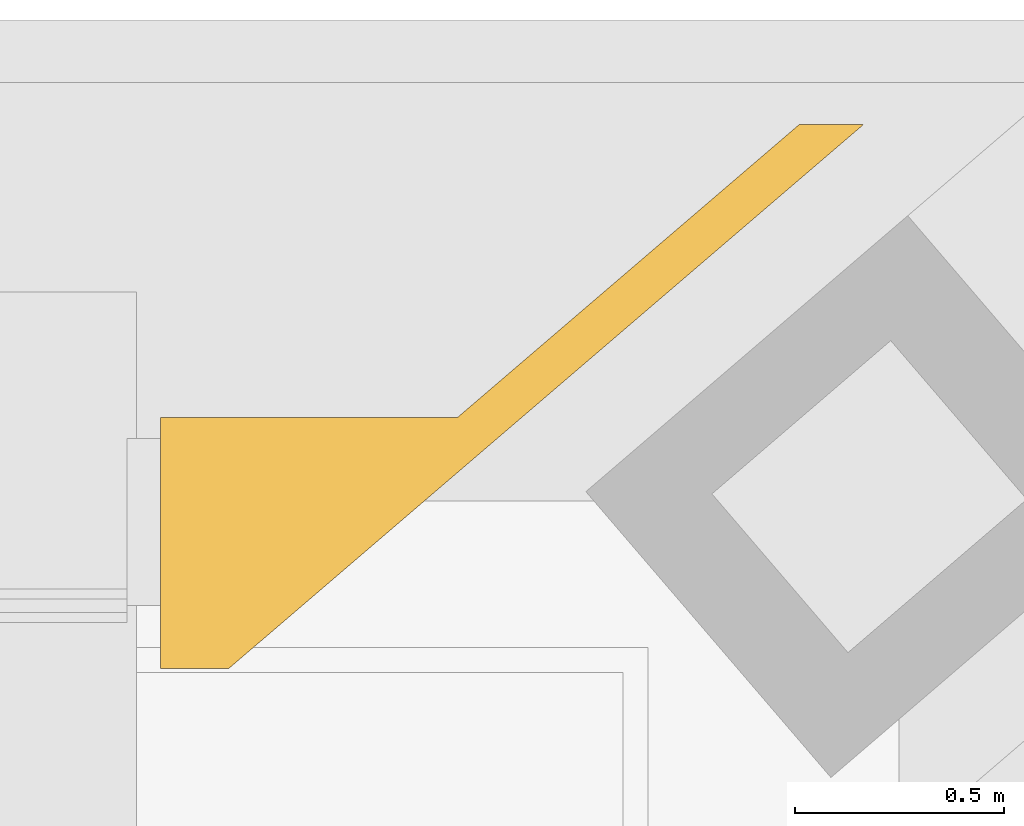
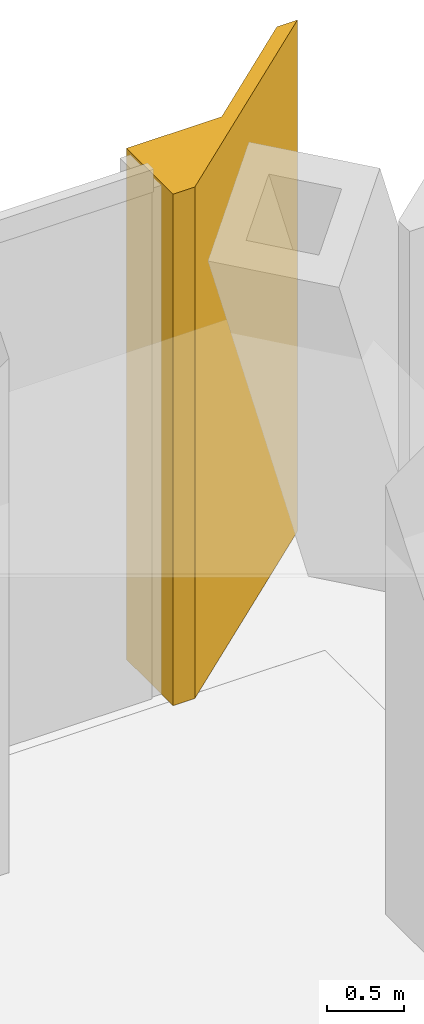
# One storey, part 13 of 13: 1 covering.
"""IFC4 building model written with IfcOpenShell, lengths in metres."""

from ifc_helpers import new_model, si_unit, direction, frame, origin, place, context, subcontext, project, spatial, polyline, outline, extrude, material, layer, layer_set, type_object, element, save


model = new_model("IFC4")

# Units and contexts
model_context = context("Model", 3, precision=1e-05, world=origin(), true_north=direction((0.0, 1.0)))
body_context = subcontext(model_context, "Body", "Model", "MODEL_VIEW")
ifc_project = project(units=[si_unit("LENGTHUNIT", "METRE"), si_unit("AREAUNIT", "SQUARE_METRE"), si_unit("VOLUMEUNIT", "CUBIC_METRE"), si_unit("PLANEANGLEUNIT", "RADIAN"), si_unit("MASSUNIT", "GRAM", prefix="KILO")], contexts=[model_context])

# Site, building, storey
site_placement = place(None, origin())
site = spatial("IfcSite", under=ifc_project, at=site_placement, CompositionType="ELEMENT")
building_placement = place(site_placement, origin())
building = spatial("IfcBuilding", under=site, at=building_placement, Name="Daluyong Arena Tower", CompositionType="ELEMENT")
storey_placement = place(building_placement, frame((0.0, 0.0, 108.10009765625)))
storey = spatial("IfcBuildingStorey", under=building, at=storey_placement, Name="L23", CompositionType="ELEMENT", Elevation=108.10009765625)

# Covering
ifc_material = material(Name="Bronze anodised aluminium cladding", Category="aluminium")
ifc_layer = layer(ifc_material, 0.10009765625)
ifc_layer_set = layer_set([ifc_layer], Name="Bronze anodised aluminium cladding")
covering_type = type_object("IfcCoveringType", Name="Transition column casing 100", PredefinedType="CLADDING", material=ifc_layer_set)
covering_placement = place(storey_placement, origin())
element("IfcCovering", 1, at=covering_placement, inside=storey, type_object=covering_type, Name="transition column casing L23 1", PredefinedType="CLADDING", context=body_context, shape_type="SweptSolid", body=[
    extrude(outline(polyline([(72.734619140625, 103.10009765625), (72.734619140625, 103.699951171875), (73.444580078125, 103.699951171875), (74.26123046875, 104.39990234375), (74.414794921875, 104.39990234375), (72.898193359375, 103.10009765625), (72.734619140625, 103.10009765625)])), origin(), (0.0, 0.0, 1.0), 4.039794921875),
])

save(model, "model.ifc")
